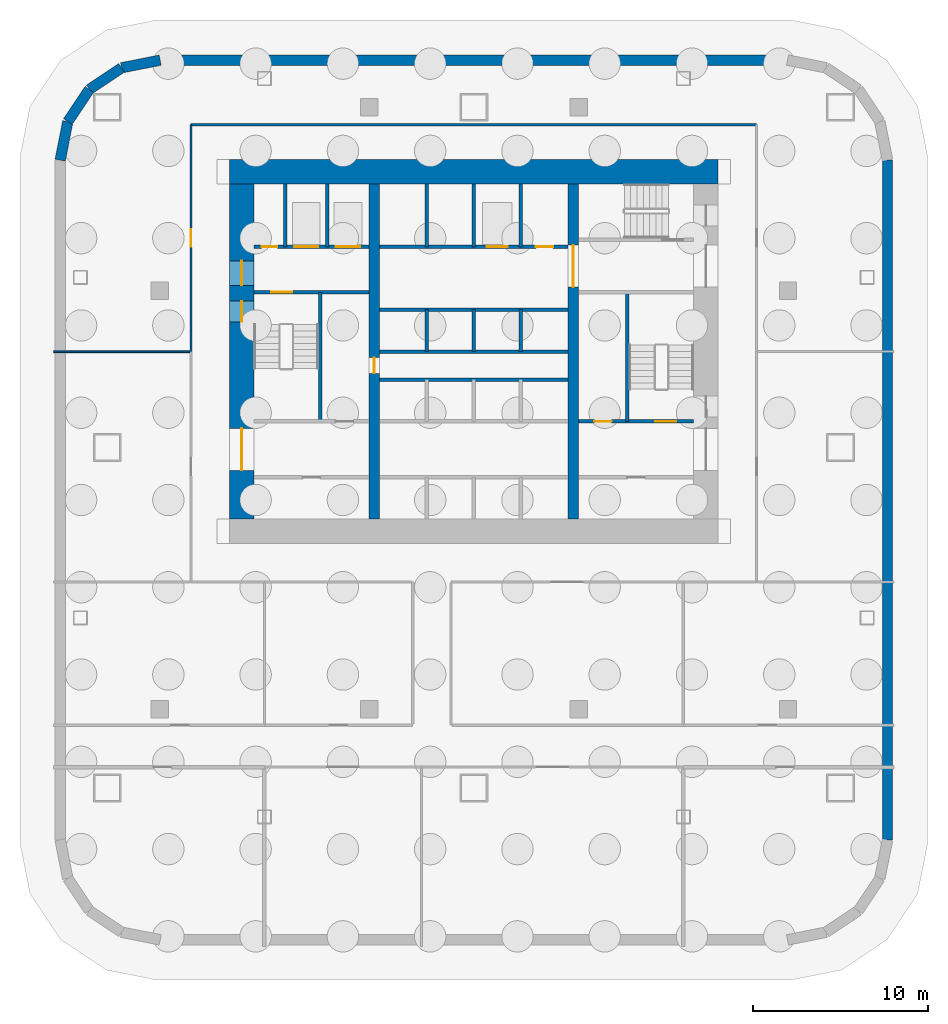
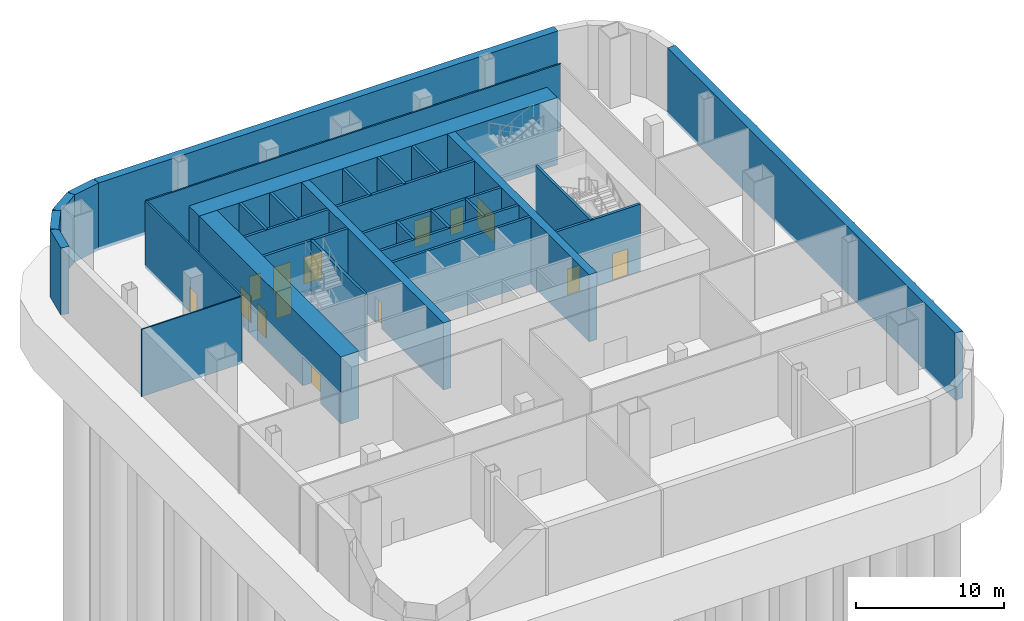
# One storey, part 3 of 6: 30 walls, 14 doors, 14 openings.
"""IFC4 building model written with IfcOpenShell, lengths in metres."""

from ifc_helpers import new_model, si_unit, direction, frame, frame_2d, origin, place, context, subcontext, project, spatial, rectangle, extrude, material, layer, layer_set, type_object, element, fill, save


model = new_model("IFC4")

# Units and contexts
model_context = context("Model", 3, precision=1e-05, world=origin(), true_north=direction((0.0, 1.0)))
body_context = subcontext(model_context, "Body", "Model", "MODEL_VIEW")
ifc_project = project(units=[si_unit("LENGTHUNIT", "METRE"), si_unit("AREAUNIT", "SQUARE_METRE"), si_unit("VOLUMEUNIT", "CUBIC_METRE"), si_unit("PLANEANGLEUNIT", "RADIAN"), si_unit("MASSUNIT", "GRAM", prefix="KILO")], contexts=[model_context])

# Site, building, storey
site_placement = place(None, origin())
site = spatial("IfcSite", under=ifc_project, at=site_placement, CompositionType="ELEMENT")
building_placement = place(site_placement, origin())
building = spatial("IfcBuilding", under=site, at=building_placement, Name="Verdant Reach Tower", CompositionType="ELEMENT")
storey_placement = place(building_placement, frame((0.0, 0.0, -6.0)))
storey = spatial("IfcBuildingStorey", under=building, at=storey_placement, Name="B1", CompositionType="ELEMENT", Elevation=-6.0)

# Walls
ifc_material_1 = material(Name="Concrete C40/50", Category="concrete")
ifc_layer_1 = layer(ifc_material_1, 0.199951171875)
ifc_layer_set_1 = layer_set([ifc_layer_1], Name="CO-WALL-SHAFT")
wall_type_1 = type_object("IfcWallType", Name="CO-WALL-SHAFT", PredefinedType="PARTITIONING", material=ifc_layer_set_1)
for number, where, z_axis, x_axis, name in (
    (1, (-5.39990234375, 26.39990234375, 0.0), (0.0, 0.0, 1.0), (1.0, 0.0, 0.0), "Lift shaft wall, B1"),
    (2, (-5.39990234375, 28.0, 0.0), (0.0, 0.0, 1.0), (1.0, 0.0, 0.0), "Lift shaft wall, B1"),
    (3, (-5.39990234375, 30.39990234375, 0.0), (0.0, 0.0, 1.0), (1.0, 0.0, 0.0), "Lift shaft wall, B1"),
):
    element("IfcWall", number, at=place(storey_placement, frame(where, z_axis=z_axis, x_axis=x_axis)), inside=storey, type_object=wall_type_1, Name=name, PredefinedType="PARTITIONING", context=body_context, shape_type="SweptSolid", body=[
        extrude(rectangle(XDim=10.7998046875, YDim=0.199951171875, at=frame_2d((5.39990234375, 0.0))), origin(), (0.0, 0.0, 1.0), 5.550048828125),
    ])

# Wall, openings, doors
wall_1_placement = place(storey_placement, frame((-12.60009765625, 34.0, 0.0), z_axis=(0.0, 0.0, 1.0), x_axis=(1.0, 0.0, 0.0)))
wall_1 = element("IfcWall", 4, at=wall_1_placement, inside=storey, type_object=wall_type_1, Name="Lift shaft wall, B1", PredefinedType="PARTITIONING", context=body_context, shape_type="SweptSolid", body=[
    extrude(rectangle(XDim=6.60009765625, YDim=0.199951171875, at=frame_2d((3.300048828125, 0.0))), origin(), (0.0, 0.0, 1.0), 5.550048828125),
])
opening_1_placement = place(wall_1_placement, frame((4.699951171875, 0.0, 0.0)))
opening_1 = element("IfcOpeningElement", 5, at=opening_1_placement, cuts=wall_1, Name="Opening LD-F1", PredefinedType="OPENING", context=body_context, shape_type="SweptSolid", body=[
    extrude(rectangle(XDim=1.39990234375, YDim=2.199951171875, at=frame_2d((0.699951171875, 1.10009765625))), frame((0.0, 0.10986328125, 0.0), z_axis=(0.0, -1.0, 0.0), x_axis=(1.0, 0.0, 0.0)), (0.0, 0.0, 1.0), 0.219970703125),
])
opening_2_placement = place(wall_1_placement, frame((2.300048828125, 0.0, 0.0)))
opening_2 = element("IfcOpeningElement", 6, at=opening_2_placement, cuts=wall_1, Name="Opening LD-F2", PredefinedType="OPENING", context=body_context, shape_type="SweptSolid", body=[
    extrude(rectangle(XDim=1.39990234375, YDim=2.199951171875, at=frame_2d((0.699951171875, 1.10009765625))), frame((0.0, 0.10986328125, 0.0), z_axis=(0.0, -1.0, 0.0), x_axis=(1.0, 0.0, 0.0)), (0.0, 0.0, 1.0), 0.219970703125),
])
opening_3_placement = place(wall_1_placement, frame((0.449951171875, 0.0, 0.0)))
opening_3 = element("IfcOpeningElement", 7, at=opening_3_placement, cuts=wall_1, Name="Opening RD", PredefinedType="OPENING", context=body_context, shape_type="SweptSolid", body=[
    extrude(rectangle(XDim=0.89990234375, YDim=2.10009765625, at=frame_2d((0.449951171875, 1.050048828125))), frame((0.0, 0.10986328125, 0.0), z_axis=(0.0, -1.0, 0.0), x_axis=(1.0, 0.0, 0.0)), (0.0, 0.0, 1.0), 0.219970703125),
])
ifc_material_2 = material(Name="Stainless steel", Category="steel")
door_type_1 = type_object("IfcDoorType", Name="CO-DOOR-LANDING-FF", OperationType="SLIDING_TO_LEFT", PredefinedType="DOOR", material=ifc_material_2)
door_1_placement = place(opening_1_placement, origin())
door_1 = element("IfcDoor", 8, at=door_1_placement, inside=storey, type_object=door_type_1, Name="Landing door F1, B1", OperationType="SLIDING_TO_LEFT", OverallHeight=2.199951171875, OverallWidth=1.39990234375, PredefinedType="DOOR", context=body_context, shape_type="SweptSolid", body=[
    extrude(rectangle(XDim=1.39990234375, YDim=2.199951171875, at=frame_2d((0.699951171875, 1.10009765625))), frame((0.0, 0.02490234375, 0.0), z_axis=(0.0, -1.0, 0.0), x_axis=(1.0, 0.0, 0.0)), (0.0, 0.0, 1.0), 0.050048828125),
])
fill(opening_1, door_1)
door_2_placement = place(opening_2_placement, origin())
door_2 = element("IfcDoor", 9, at=door_2_placement, inside=storey, type_object=door_type_1, Name="Landing door F2, B1", OperationType="SLIDING_TO_LEFT", OverallHeight=2.199951171875, OverallWidth=1.39990234375, PredefinedType="DOOR", context=body_context, shape_type="SweptSolid", body=[
    extrude(rectangle(XDim=1.39990234375, YDim=2.199951171875, at=frame_2d((0.699951171875, 1.10009765625))), frame((0.0, 0.02490234375, 0.0), z_axis=(0.0, -1.0, 0.0), x_axis=(1.0, 0.0, 0.0)), (0.0, 0.0, 1.0), 0.050048828125),
])
fill(opening_2, door_2)
ifc_material_3 = material(Name="Steel", Category="steel")
door_type_2 = type_object("IfcDoorType", Name="CO-DOOR-RISER", OperationType="NOTDEFINED", PredefinedType="DOOR", material=ifc_material_3)
door_3_placement = place(opening_3_placement, origin())
door_3 = element("IfcDoor", 10, at=door_3_placement, inside=storey, type_object=door_type_2, Name="Core room door, B1", OperationType="SINGLE_SWING_RIGHT", OverallHeight=2.10009765625, OverallWidth=0.89990234375, PredefinedType="DOOR", context=body_context, shape_type="SweptSolid", body=[
    extrude(rectangle(XDim=0.89990234375, YDim=2.10009765625, at=frame_2d((0.449951171875, 1.050048828125))), frame((0.0, 0.02490234375, 0.0), z_axis=(0.0, -1.0, 0.0), x_axis=(1.0, 0.0, 0.0)), (0.0, 0.0, 1.0), 0.050048828125),
])
fill(opening_3, door_3)

wall_2_placement = place(storey_placement, frame((-5.39990234375, 34.0, 0.0), z_axis=(0.0, 0.0, 1.0), x_axis=(1.0, 0.0, 0.0)))
wall_2 = element("IfcWall", 11, at=wall_2_placement, inside=storey, type_object=wall_type_1, Name="Lift shaft wall, B1", PredefinedType="PARTITIONING", context=body_context, shape_type="SweptSolid", body=[
    extrude(rectangle(XDim=10.7998046875, YDim=0.199951171875, at=frame_2d((5.39990234375, 0.0))), origin(), (0.0, 0.0, 1.0), 5.550048828125),
])
opening_4_placement = place(wall_2_placement, frame((6.14990234375, 0.0, 0.0)))
opening_4 = element("IfcOpeningElement", 12, at=opening_4_placement, cuts=wall_2, Name="Opening LD-SL1", PredefinedType="OPENING", context=body_context, shape_type="SweptSolid", body=[
    extrude(rectangle(XDim=1.199951171875, YDim=2.199951171875, at=frame_2d((0.60009765625, 1.10009765625))), frame((0.0, 0.10986328125, 0.0), z_axis=(0.0, -1.0, 0.0), x_axis=(1.0, 0.0, 0.0)), (0.0, 0.0, 1.0), 0.219970703125),
])
opening_5_placement = place(wall_2_placement, frame((8.949951171875, 0.0, 0.0)))
opening_5 = element("IfcOpeningElement", 13, at=opening_5_placement, cuts=wall_2, Name="Opening CD", PredefinedType="OPENING", context=body_context, shape_type="SweptSolid", body=[
    extrude(rectangle(XDim=1.0, YDim=2.10009765625, at=frame_2d((0.5, 1.050048828125))), frame((0.0, 0.10986328125, 0.0), z_axis=(0.0, -1.0, 0.0), x_axis=(1.0, 0.0, 0.0)), (0.0, 0.0, 1.0), 0.219970703125),
])
door_type_3 = type_object("IfcDoorType", Name="CO-DOOR-LANDING", OperationType="SLIDING_TO_LEFT", PredefinedType="DOOR", material=ifc_material_2)
door_4_placement = place(opening_4_placement, origin())
door_4 = element("IfcDoor", 14, at=door_4_placement, inside=storey, type_object=door_type_3, Name="Landing door SL1, B1", OperationType="SLIDING_TO_LEFT", OverallHeight=2.199951171875, OverallWidth=1.199951171875, PredefinedType="DOOR", context=body_context, shape_type="SweptSolid", body=[
    extrude(rectangle(XDim=1.199951171875, YDim=2.199951171875, at=frame_2d((0.60009765625, 1.10009765625))), frame((0.0, 0.02490234375, 0.0), z_axis=(0.0, -1.0, 0.0), x_axis=(1.0, 0.0, 0.0)), (0.0, 0.0, 1.0), 0.050048828125),
])
fill(opening_4, door_4)
ifc_material_4 = material(Name="Timber", Category="wood")
door_type_4 = type_object("IfcDoorType", Name="CO-DOOR-ROOM", OperationType="NOTDEFINED", PredefinedType="DOOR", material=ifc_material_4)
door_5_placement = place(opening_5_placement, origin())
door_5 = element("IfcDoor", 15, at=door_5_placement, inside=storey, type_object=door_type_4, Name="Core room door, B1", OperationType="SINGLE_SWING_LEFT", OverallHeight=2.10009765625, OverallWidth=1.0, PredefinedType="DOOR", context=body_context, shape_type="SweptSolid", body=[
    extrude(rectangle(XDim=1.0, YDim=2.10009765625, at=frame_2d((0.5, 1.050048828125))), frame((0.0, 0.02490234375, 0.0), z_axis=(0.0, -1.0, 0.0), x_axis=(1.0, 0.0, 0.0)), (0.0, 0.0, 1.0), 0.050048828125),
])
fill(opening_5, door_5)

# Walls
for number, where, z_axis, x_axis, name in (
    (16, (-10.800048828125, 34.0, 0.0), (0.0, 0.0, 1.0), (0.0, 1.0, 0.0), "Lift shaft wall, B1"),
    (17, (-8.39990234375, 34.0, 0.0), (0.0, 0.0, 1.0), (0.0, 1.0, 0.0), "Lift shaft wall, B1"),
):
    element("IfcWall", number, at=place(storey_placement, frame(where, z_axis=z_axis, x_axis=x_axis)), inside=storey, type_object=wall_type_1, Name=name, PredefinedType="PARTITIONING", context=body_context, shape_type="SweptSolid", body=[
        extrude(rectangle(XDim=3.60009765625, YDim=0.199951171875, at=frame_2d((1.800048828125, 0.0))), origin(), (0.0, 0.0, 1.0), 5.550048828125),
    ])
wall_3_placement = place(storey_placement, frame((-2.699951171875, 28.0, 0.0), z_axis=(0.0, 0.0, 1.0), x_axis=(0.0, 1.0, 0.0)))
element("IfcWall", 18, at=wall_3_placement, inside=storey, type_object=wall_type_1, Name="Lift shaft wall, B1", PredefinedType="PARTITIONING", context=body_context, shape_type="SweptSolid", body=[
    extrude(rectangle(XDim=2.39990234375, YDim=0.199951171875, at=frame_2d((1.199951171875, 0.0))), origin(), (0.0, 0.0, 1.0), 5.550048828125),
])
wall_4_placement = place(storey_placement, frame((-2.699951171875, 34.0, 0.0), z_axis=(0.0, 0.0, 1.0), x_axis=(0.0, 1.0, 0.0)))
element("IfcWall", 19, at=wall_4_placement, inside=storey, type_object=wall_type_1, Name="Lift shaft wall, B1", PredefinedType="PARTITIONING", context=body_context, shape_type="SweptSolid", body=[
    extrude(rectangle(XDim=3.60009765625, YDim=0.199951171875, at=frame_2d((1.800048828125, 0.0))), origin(), (0.0, 0.0, 1.0), 5.550048828125),
])
wall_5_placement = place(storey_placement, frame((0.0, 28.0, 0.0), z_axis=(0.0, 0.0, 1.0), x_axis=(0.0, 1.0, 0.0)))
element("IfcWall", 20, at=wall_5_placement, inside=storey, type_object=wall_type_1, Name="Lift shaft wall, B1", PredefinedType="PARTITIONING", context=body_context, shape_type="SweptSolid", body=[
    extrude(rectangle(XDim=2.39990234375, YDim=0.199951171875, at=frame_2d((1.199951171875, 0.0))), origin(), (0.0, 0.0, 1.0), 5.550048828125),
])
wall_6_placement = place(storey_placement, frame((0.0, 34.0, 0.0), z_axis=(0.0, 0.0, 1.0), x_axis=(0.0, 1.0, 0.0)))
element("IfcWall", 21, at=wall_6_placement, inside=storey, type_object=wall_type_1, Name="Lift shaft wall, B1", PredefinedType="PARTITIONING", context=body_context, shape_type="SweptSolid", body=[
    extrude(rectangle(XDim=3.60009765625, YDim=0.199951171875, at=frame_2d((1.800048828125, 0.0))), origin(), (0.0, 0.0, 1.0), 5.550048828125),
])
wall_7_placement = place(storey_placement, frame((2.699951171875, 28.0, 0.0), z_axis=(0.0, 0.0, 1.0), x_axis=(0.0, 1.0, 0.0)))
element("IfcWall", 22, at=wall_7_placement, inside=storey, type_object=wall_type_1, Name="Lift shaft wall, B1", PredefinedType="PARTITIONING", context=body_context, shape_type="SweptSolid", body=[
    extrude(rectangle(XDim=2.39990234375, YDim=0.199951171875, at=frame_2d((1.199951171875, 0.0))), origin(), (0.0, 0.0, 1.0), 5.550048828125),
])
wall_8_placement = place(storey_placement, frame((2.699951171875, 34.0, 0.0), z_axis=(0.0, 0.0, 1.0), x_axis=(0.0, 1.0, 0.0)))
element("IfcWall", 23, at=wall_8_placement, inside=storey, type_object=wall_type_1, Name="Lift shaft wall, B1", PredefinedType="PARTITIONING", context=body_context, shape_type="SweptSolid", body=[
    extrude(rectangle(XDim=3.60009765625, YDim=0.199951171875, at=frame_2d((1.800048828125, 0.0))), origin(), (0.0, 0.0, 1.0), 5.550048828125),
])

# Wall, openings, doors
ifc_layer_2 = layer(ifc_material_1, 0.199951171875)
ifc_layer_set_2 = layer_set([ifc_layer_2], Name="CO-WALL-STAIR")
wall_type_2 = type_object("IfcWallType", Name="CO-WALL-STAIR", PredefinedType="PARTITIONING", material=ifc_layer_set_2)
wall_9_placement = place(storey_placement, frame((6.0, 24.0, 0.0), z_axis=(0.0, 0.0, 1.0), x_axis=(1.0, 0.0, 0.0)))
wall_9 = element("IfcWall", 24, at=wall_9_placement, inside=storey, type_object=wall_type_2, Name="Stair enclosure wall, B1", PredefinedType="PARTITIONING", context=body_context, shape_type="SweptSolid", body=[
    extrude(rectangle(XDim=6.60009765625, YDim=0.199951171875, at=frame_2d((3.300048828125, 0.0))), origin(), (0.0, 0.0, 1.0), 5.550048828125),
])
opening_6_placement = place(wall_9_placement, frame((0.89990234375, 0.0, 0.0)))
opening_6 = element("IfcOpeningElement", 25, at=opening_6_placement, cuts=wall_9, Name="Opening CD", PredefinedType="OPENING", context=body_context, shape_type="SweptSolid", body=[
    extrude(rectangle(XDim=1.0, YDim=2.10009765625, at=frame_2d((0.5, 1.050048828125))), frame((0.0, 0.10986328125, 0.0), z_axis=(0.0, -1.0, 0.0), x_axis=(1.0, 0.0, 0.0)), (0.0, 0.0, 1.0), 0.219970703125),
])
opening_7_placement = place(wall_9_placement, frame((4.39990234375, 0.0, 0.0)))
opening_7 = element("IfcOpeningElement", 26, at=opening_7_placement, cuts=wall_9, Name="Opening SD", PredefinedType="OPENING", context=body_context, shape_type="SweptSolid", body=[
    extrude(rectangle(XDim=1.199951171875, YDim=2.199951171875, at=frame_2d((0.60009765625, 1.10009765625))), frame((0.0, 0.10986328125, 0.0), z_axis=(0.0, -1.0, 0.0), x_axis=(1.0, 0.0, 0.0)), (0.0, 0.0, 1.0), 0.219970703125),
])
door_6_placement = place(opening_6_placement, origin())
door_6 = element("IfcDoor", 27, at=door_6_placement, inside=storey, type_object=door_type_4, Name="Core room door, B1", OperationType="SINGLE_SWING_LEFT", OverallHeight=2.10009765625, OverallWidth=1.0, PredefinedType="DOOR", context=body_context, shape_type="SweptSolid", body=[
    extrude(rectangle(XDim=1.0, YDim=2.10009765625, at=frame_2d((0.5, 1.050048828125))), frame((0.0, 0.02490234375, 0.0), z_axis=(0.0, -1.0, 0.0), x_axis=(1.0, 0.0, 0.0)), (0.0, 0.0, 1.0), 0.050048828125),
])
fill(opening_6, door_6)
door_type_5 = type_object("IfcDoorType", Name="CO-DOOR-STAIR", OperationType="NOTDEFINED", PredefinedType="DOOR", material=ifc_material_3)
door_7_placement = place(opening_7_placement, origin())
door_7 = element("IfcDoor", 28, at=door_7_placement, inside=storey, type_object=door_type_5, Name="Stair door, B1", OperationType="SINGLE_SWING_LEFT", OverallHeight=2.199951171875, OverallWidth=1.199951171875, PredefinedType="DOOR", context=body_context, shape_type="SweptSolid", body=[
    extrude(rectangle(XDim=1.199951171875, YDim=2.199951171875, at=frame_2d((0.60009765625, 1.10009765625))), frame((0.0, 0.02490234375, 0.0), z_axis=(0.0, -1.0, 0.0), x_axis=(1.0, 0.0, 0.0)), (0.0, 0.0, 1.0), 0.050048828125),
])
fill(opening_7, door_7)

# Wall, opening, door
wall_10_placement = place(storey_placement, frame((-12.60009765625, 31.39990234375, 0.0), z_axis=(0.0, 0.0, 1.0), x_axis=(1.0, 0.0, 0.0)))
wall_10 = element("IfcWall", 29, at=wall_10_placement, inside=storey, type_object=wall_type_2, Name="Stair enclosure wall, B1", PredefinedType="PARTITIONING", context=body_context, shape_type="SweptSolid", body=[
    extrude(rectangle(XDim=6.60009765625, YDim=0.199951171875, at=frame_2d((3.300048828125, 0.0))), origin(), (0.0, 0.0, 1.0), 5.550048828125),
])
opening_8_placement = place(wall_10_placement, frame((1.0, 0.0, 0.0)))
opening_8 = element("IfcOpeningElement", 30, at=opening_8_placement, cuts=wall_10, Name="Opening SD", PredefinedType="OPENING", context=body_context, shape_type="SweptSolid", body=[
    extrude(rectangle(XDim=1.199951171875, YDim=2.199951171875, at=frame_2d((0.60009765625, 1.10009765625))), frame((0.0, 0.10986328125, 0.0), z_axis=(0.0, -1.0, 0.0), x_axis=(1.0, 0.0, 0.0)), (0.0, 0.0, 1.0), 0.219970703125),
])
door_8_placement = place(opening_8_placement, origin())
door_8 = element("IfcDoor", 31, at=door_8_placement, inside=storey, type_object=door_type_5, Name="Stair door, B1", OperationType="SINGLE_SWING_RIGHT", OverallHeight=2.199951171875, OverallWidth=1.199951171875, PredefinedType="DOOR", context=body_context, shape_type="SweptSolid", body=[
    extrude(rectangle(XDim=1.199951171875, YDim=2.199951171875, at=frame_2d((0.60009765625, 1.10009765625))), frame((0.0, 0.02490234375, 0.0), z_axis=(0.0, -1.0, 0.0), x_axis=(1.0, 0.0, 0.0)), (0.0, 0.0, 1.0), 0.050048828125),
])
fill(opening_8, door_8)

# Walls
for number, where, z_axis, x_axis, name in (
    (32, (-8.800048828125, 24.0, 0.0), (0.0, 0.0, 1.0), (0.0, 1.0, 0.0), "Stair enclosure wall, B1"),
    (33, (8.800048828125, 24.0, 0.0), (0.0, 0.0, 1.0), (0.0, 1.0, 0.0), "Stair enclosure wall, B1"),
):
    element("IfcWall", number, at=place(storey_placement, frame(where, z_axis=z_axis, x_axis=x_axis)), inside=storey, type_object=wall_type_2, Name=name, PredefinedType="PARTITIONING", context=body_context, shape_type="SweptSolid", body=[
        extrude(rectangle(XDim=7.39990234375, YDim=0.199951171875, at=frame_2d((3.699951171875, 0.0))), origin(), (0.0, 0.0, 1.0), 5.550048828125),
    ])
ifc_layer_3 = layer(ifc_material_1, 0.60009765625)
ifc_layer_set_3 = layer_set([ifc_layer_3], Name="ST-BASEMENT-WALL")
wall_type_3 = type_object("IfcWallType", Name="ST-BASEMENT-WALL", PredefinedType="SHEAR", material=ifc_layer_set_3)
wall_11_placement = place(storey_placement, frame((-23.699951171875, 38.970458984375, 0.0), z_axis=(0.0, 0.0, 1.0), x_axis=(0.195052642224, 0.980792774628, 0.0)))
element("IfcWall", 34, at=wall_11_placement, inside=storey, type_object=wall_type_3, Name="Basement retaining wall 7", PredefinedType="SHEAR", context=body_context, shape_type="SweptSolid", body=[
    extrude(rectangle(XDim=2.251708984375, YDim=0.60009765625, at=frame_2d((1.1259765625, 0.0))), origin(), (0.0, 0.0, 1.0), 5.550048828125),
])
for number, where, z_axis, x_axis, name in (
    (35, (-23.2607421875, 41.178955078125, 0.0), (0.0, 0.0, 1.0), (0.555562047437, 0.831475081676, 0.0), "Basement retaining wall 8"),
    (36, (-22.0263671875, 43.0263671875, 0.0), (0.0, 0.0, 1.0), (0.831475081676, 0.555562047437, 0.0), "Basement retaining wall 9"),
):
    element("IfcWall", number, at=place(storey_placement, frame(where, z_axis=z_axis, x_axis=x_axis)), inside=storey, type_object=wall_type_3, Name=name, PredefinedType="SHEAR", context=body_context, shape_type="SweptSolid", body=[
        extrude(rectangle(XDim=2.221923828125, YDim=0.60009765625, at=frame_2d((1.11083984375, 0.0))), origin(), (0.0, 0.0, 1.0), 5.550048828125),
    ])
wall_12_placement = place(storey_placement, frame((-20.178955078125, 44.2607421875, 0.0), z_axis=(0.0, 0.0, 1.0), x_axis=(0.980792774628, 0.195052642224, 0.0)))
element("IfcWall", 37, at=wall_12_placement, inside=storey, type_object=wall_type_3, Name="Basement retaining wall 10", PredefinedType="SHEAR", context=body_context, shape_type="SweptSolid", body=[
    extrude(rectangle(XDim=2.251708984375, YDim=0.60009765625, at=frame_2d((1.1259765625, 0.0))), origin(), (0.0, 0.0, 1.0), 5.550048828125),
])
wall_13_placement = place(storey_placement, frame((-17.970458984375, 44.699951171875, 0.0), z_axis=(0.0, 0.0, 1.0), x_axis=(1.0, 0.0, 0.0)))
element("IfcWall", 38, at=wall_13_placement, inside=storey, type_object=wall_type_3, Name="Basement retaining wall 11", PredefinedType="SHEAR", context=body_context, shape_type="SweptSolid", body=[
    extrude(rectangle(XDim=35.94091796875, YDim=0.60009765625, at=frame_2d((17.970458984375, 0.0))), origin(), (0.0, 0.0, 1.0), 5.550048828125),
])
wall_14_placement = place(storey_placement, frame((23.699951171875, 38.970458984375, 0.0), z_axis=(0.0, 0.0, 1.0), x_axis=(0.0, -1.0, 0.0)))
element("IfcWall", 39, at=wall_14_placement, inside=storey, type_object=wall_type_3, Name="Basement retaining wall 16", PredefinedType="SHEAR", context=body_context, shape_type="SweptSolid", body=[
    extrude(rectangle(XDim=38.94091796875, YDim=0.60009765625, at=frame_2d((19.470458984375, 0.0))), origin(), (0.0, 0.0, 1.0), 5.550048828125),
])
ifc_material_5 = material(Name="Concrete C70/85", Category="concrete")
ifc_layer_4 = layer(ifc_material_5, 1.39990234375)
ifc_layer_set_4 = layer_set([ifc_layer_4], Name="ST-CORE-WALL-1400")
wall_type_4 = type_object("IfcWallType", Name="ST-CORE-WALL-1400", PredefinedType="SHEAR", material=ifc_layer_set_4)
wall_15_placement = place(storey_placement, frame((-14.0, 38.300048828125, 0.0), z_axis=(0.0, 0.0, 1.0), x_axis=(1.0, 0.0, 0.0)))
element("IfcWall", 40, at=wall_15_placement, inside=storey, type_object=wall_type_4, Name="Core wall N, B1", PredefinedType="SHEAR", context=body_context, shape_type="SweptSolid", body=[
    extrude(rectangle(XDim=28.0, YDim=1.39990234375, at=frame_2d((14.0, 0.0))), origin(), (0.0, 0.0, 1.0), 5.550048828125),
])

# Wall, openings, doors
wall_16_placement = place(storey_placement, frame((-13.300048828125, 18.39990234375, 0.0), z_axis=(0.0, 0.0, 1.0), x_axis=(0.0, 1.0, 0.0)))
wall_16 = element("IfcWall", 41, at=wall_16_placement, inside=storey, type_object=wall_type_4, Name="Core wall W, B1", PredefinedType="SHEAR", context=body_context, shape_type="SweptSolid", body=[
    extrude(rectangle(XDim=19.2001953125, YDim=1.39990234375, at=frame_2d((9.60009765625, 0.0))), origin(), (0.0, 0.0, 1.0), 5.550048828125),
])
opening_9_placement = place(wall_16_placement, frame((2.800048828125, 0.0, 0.0)))
opening_9 = element("IfcOpeningElement", 42, at=opening_9_placement, cuts=wall_16, Name="Opening LB", PredefinedType="OPENING", context=body_context, shape_type="SweptSolid", body=[
    extrude(rectangle(XDim=2.39990234375, YDim=2.39990234375, at=frame_2d((1.199951171875, 1.199951171875))), frame((0.0, 0.7099609375, 0.0), z_axis=(0.0, -1.0, 0.0), x_axis=(1.0, 0.0, 0.0)), (0.0, 0.0, 1.0), 1.419921875),
])
opening_10_placement = place(wall_16_placement, frame((13.39990234375, 0.0, 0.0)))
opening_10 = element("IfcOpeningElement", 43, at=opening_10_placement, cuts=wall_16, Name="Opening FL", PredefinedType="OPENING", context=body_context, shape_type="SweptSolid", body=[
    extrude(rectangle(XDim=1.39990234375, YDim=2.199951171875, at=frame_2d((0.699951171875, 1.10009765625))), frame((0.0, 0.7099609375, 0.0), z_axis=(0.0, -1.0, 0.0), x_axis=(1.0, 0.0, 0.0)), (0.0, 0.0, 1.0), 1.419921875),
])
opening_11_placement = place(wall_16_placement, frame((11.300048828125, 0.0, 0.0)))
opening_11 = element("IfcOpeningElement", 44, at=opening_11_placement, cuts=wall_16, Name="Opening SD", PredefinedType="OPENING", context=body_context, shape_type="SweptSolid", body=[
    extrude(rectangle(XDim=1.199951171875, YDim=2.199951171875, at=frame_2d((0.60009765625, 1.10009765625))), frame((0.0, 0.7099609375, 0.0), z_axis=(0.0, -1.0, 0.0), x_axis=(1.0, 0.0, 0.0)), (0.0, 0.0, 1.0), 1.419921875),
])
door_type_6 = type_object("IfcDoorType", Name="CO-DOOR-FFL", OperationType="NOTDEFINED", PredefinedType="DOOR", material=ifc_material_3)
door_9_placement = place(opening_10_placement, origin())
door_9 = element("IfcDoor", 45, at=door_9_placement, inside=storey, type_object=door_type_6, Name="Core entrance door, B1", OperationType="SINGLE_SWING_RIGHT", OverallHeight=2.199951171875, OverallWidth=1.39990234375, PredefinedType="DOOR", context=body_context, shape_type="SweptSolid", body=[
    extrude(rectangle(XDim=1.39990234375, YDim=2.199951171875, at=frame_2d((0.699951171875, 1.10009765625))), frame((0.0, 0.02490234375, 0.0), z_axis=(0.0, -1.0, 0.0), x_axis=(1.0, 0.0, 0.0)), (0.0, 0.0, 1.0), 0.050048828125),
])
fill(opening_10, door_9)
ifc_material_6 = material(Name="Glass and steel", Category="steel")
door_type_7 = type_object("IfcDoorType", Name="CO-DOOR-LOBBY", OperationType="DOUBLE_DOOR_SINGLE_SWING", PredefinedType="DOOR", material=ifc_material_6)
door_10_placement = place(opening_9_placement, origin())
door_10 = element("IfcDoor", 46, at=door_10_placement, inside=storey, type_object=door_type_7, Name="Core entrance door, B1", OperationType="DOUBLE_DOOR_SINGLE_SWING", OverallHeight=2.39990234375, OverallWidth=2.39990234375, PredefinedType="DOOR", context=body_context, shape_type="SweptSolid", body=[
    extrude(rectangle(XDim=2.39990234375, YDim=2.39990234375, at=frame_2d((1.199951171875, 1.199951171875))), frame((0.0, 0.02490234375, 0.0), z_axis=(0.0, -1.0, 0.0), x_axis=(1.0, 0.0, 0.0)), (0.0, 0.0, 1.0), 0.050048828125),
])
fill(opening_9, door_10)
door_11_placement = place(opening_11_placement, origin())
door_11 = element("IfcDoor", 47, at=door_11_placement, inside=storey, type_object=door_type_5, Name="Core entrance door, B1", OperationType="SINGLE_SWING_LEFT", OverallHeight=2.199951171875, OverallWidth=1.199951171875, PredefinedType="DOOR", context=body_context, shape_type="SweptSolid", body=[
    extrude(rectangle(XDim=1.199951171875, YDim=2.199951171875, at=frame_2d((0.60009765625, 1.10009765625))), frame((0.0, 0.02490234375, 0.0), z_axis=(0.0, -1.0, 0.0), x_axis=(1.0, 0.0, 0.0)), (0.0, 0.0, 1.0), 0.050048828125),
])
fill(opening_11, door_11)

# Wall, opening, door
ifc_layer_5 = layer(ifc_material_5, 0.60009765625)
ifc_layer_set_5 = layer_set([ifc_layer_5], Name="ST-CORE-WALL-600")
wall_type_5 = type_object("IfcWallType", Name="ST-CORE-WALL-600", PredefinedType="SHEAR", material=ifc_layer_set_5)
wall_17_placement = place(storey_placement, frame((-5.699951171875, 18.39990234375, 0.0), z_axis=(0.0, 0.0, 1.0), x_axis=(0.0, 1.0, 0.0)))
wall_17 = element("IfcWall", 48, at=wall_17_placement, inside=storey, type_object=wall_type_5, Name="Core wall XW, B1", PredefinedType="SHEAR", context=body_context, shape_type="SweptSolid", body=[
    extrude(rectangle(XDim=19.2001953125, YDim=0.60009765625, at=frame_2d((9.60009765625, 0.0))), origin(), (0.0, 0.0, 1.0), 5.550048828125),
])
opening_12_placement = place(wall_17_placement, frame((8.35009765625, 0.0, 0.0)))
opening_12 = element("IfcOpeningElement", 49, at=opening_12_placement, cuts=wall_17, Name="Opening RD", PredefinedType="OPENING", context=body_context, shape_type="SweptSolid", body=[
    extrude(rectangle(XDim=0.89990234375, YDim=2.10009765625, at=frame_2d((0.449951171875, 1.050048828125))), frame((0.0, 0.31005859375, 0.0), z_axis=(0.0, -1.0, 0.0), x_axis=(1.0, 0.0, 0.0)), (0.0, 0.0, 1.0), 0.6201171875),
])
door_12_placement = place(opening_12_placement, origin())
door_12 = element("IfcDoor", 50, at=door_12_placement, inside=storey, type_object=door_type_2, Name="Riser door, B1", OperationType="SINGLE_SWING_RIGHT", OverallHeight=2.10009765625, OverallWidth=0.89990234375, PredefinedType="DOOR", context=body_context, shape_type="SweptSolid", body=[
    extrude(rectangle(XDim=0.89990234375, YDim=2.10009765625, at=frame_2d((0.449951171875, 1.050048828125))), frame((0.0, 0.02490234375, 0.0), z_axis=(0.0, -1.0, 0.0), x_axis=(1.0, 0.0, 0.0)), (0.0, 0.0, 1.0), 0.050048828125),
])
fill(opening_12, door_12)

wall_18_placement = place(storey_placement, frame((5.699951171875, 18.39990234375, 0.0), z_axis=(0.0, 0.0, 1.0), x_axis=(0.0, 1.0, 0.0)))
wall_18 = element("IfcWall", 51, at=wall_18_placement, inside=storey, type_object=wall_type_5, Name="Core wall XE, B1", PredefinedType="SHEAR", context=body_context, shape_type="SweptSolid", body=[
    extrude(rectangle(XDim=19.2001953125, YDim=0.60009765625, at=frame_2d((9.60009765625, 0.0))), origin(), (0.0, 0.0, 1.0), 5.550048828125),
])
opening_13_placement = place(wall_18_placement, frame((13.300048828125, 0.0, 0.0)))
opening_13 = element("IfcOpeningElement", 52, at=opening_13_placement, cuts=wall_18, Name="Opening LB", PredefinedType="OPENING", context=body_context, shape_type="SweptSolid", body=[
    extrude(rectangle(XDim=2.39990234375, YDim=2.39990234375, at=frame_2d((1.199951171875, 1.199951171875))), frame((0.0, 0.31005859375, 0.0), z_axis=(0.0, -1.0, 0.0), x_axis=(1.0, 0.0, 0.0)), (0.0, 0.0, 1.0), 0.6201171875),
])
door_13_placement = place(opening_13_placement, origin())
door_13 = element("IfcDoor", 53, at=door_13_placement, inside=storey, type_object=door_type_7, Name="Core entrance door, B1", OperationType="DOUBLE_DOOR_SINGLE_SWING", OverallHeight=2.39990234375, OverallWidth=2.39990234375, PredefinedType="DOOR", context=body_context, shape_type="SweptSolid", body=[
    extrude(rectangle(XDim=2.39990234375, YDim=2.39990234375, at=frame_2d((1.199951171875, 1.199951171875))), frame((0.0, 0.02490234375, 0.0), z_axis=(0.0, -1.0, 0.0), x_axis=(1.0, 0.0, 0.0)), (0.0, 0.0, 1.0), 0.050048828125),
])
fill(opening_13, door_13)

# Wall
ifc_material_7 = material(Name="Gypsum board on steel studs", Category="steel")
ifc_layer_6 = layer(ifc_material_7, 0.10009765625)
ifc_layer_set_6 = layer_set([ifc_layer_6], Name="SV-W1 Partition 100")
wall_type_6 = type_object("IfcWallType", Name="SV-W1 Partition 100", PredefinedType="PARTITIONING", material=ifc_layer_set_6)
wall_19_placement = place(storey_placement, frame((-24.080078125, 28.0, 0.0), z_axis=(0.0, 0.0, 1.0), x_axis=(1.0, 0.0, 0.0)))
element("IfcWall", 54, at=wall_19_placement, inside=storey, type_object=wall_type_6, Name="Partition B1.26", PredefinedType="PARTITIONING", context=body_context, shape_type="SweptSolid", body=[
    extrude(rectangle(XDim=7.817626953125, YDim=0.10009765625, at=frame_2d((3.90869140625, 0.0))), origin(), (0.0, 0.0, 1.0), 5.550048828125),
])

# Wall, opening, door
ifc_material_8 = material(Name="Gypsum board on steel studs, fire rated", Category="steel")
ifc_layer_7 = layer(ifc_material_8, 0.125)
ifc_layer_set_7 = layer_set([ifc_layer_7], Name="SV-W2 Plant wall 125 EI 60")
wall_type_7 = type_object("IfcWallType", Name="SV-W2 Plant wall 125 EI 60", PredefinedType="PARTITIONING", material=ifc_layer_set_7)
wall_20_placement = place(storey_placement, frame((-16.199951171875, 41.0, 0.0), z_axis=(0.0, 0.0, 1.0), x_axis=(0.0, -1.0, 0.0)))
wall_20 = element("IfcWall", 55, at=wall_20_placement, inside=storey, type_object=wall_type_7, Name="Partition B1.16", PredefinedType="PARTITIONING", context=body_context, shape_type="SweptSolid", body=[
    extrude(rectangle(XDim=13.0, YDim=0.125, at=frame_2d((6.5, 0.0))), origin(), (0.0, 0.0, 1.0), 5.550048828125),
])
opening_14_placement = place(wall_20_placement, frame((6.0, 0.0, 0.0)))
opening_14 = element("IfcOpeningElement", 56, at=opening_14_placement, cuts=wall_20, Name="Opening SD2", PredefinedType="OPENING", context=body_context, shape_type="SweptSolid", body=[
    extrude(rectangle(XDim=1.0, YDim=2.10009765625, at=frame_2d((0.5, 1.050048828125))), frame((0.0, 0.072509765625, 0.0), z_axis=(0.0, -1.0, 0.0), x_axis=(1.0, 0.0, 0.0)), (0.0, 0.0, 1.0), 0.14501953125),
])
ifc_material_9 = material(Name="Steel door leaf, fire rated", Category="steel")
door_type_8 = type_object("IfcDoorType", Name="SV-D2 Door 1000x2100 FD60", OperationType="NOTDEFINED", PredefinedType="DOOR", material=ifc_material_9)
door_14_placement = place(opening_14_placement, origin())
door_14 = element("IfcDoor", 57, at=door_14_placement, inside=storey, type_object=door_type_8, Name="Door B1-010", OperationType="SINGLE_SWING_RIGHT", OverallHeight=2.10009765625, OverallWidth=1.0, PredefinedType="DOOR", context=body_context, shape_type="SweptSolid", body=[
    extrude(rectangle(XDim=1.0, YDim=2.10009765625, at=frame_2d((0.5, 1.050048828125))), frame((0.0, 0.02490234375, 0.0), z_axis=(0.0, -1.0, 0.0), x_axis=(1.0, 0.0, 0.0)), (0.0, 0.0, 1.0), 0.050048828125),
])
fill(opening_14, door_14)

# Wall
wall_21_placement = place(storey_placement, frame((-16.197998046875, 41.0, 0.0), z_axis=(0.0, 0.0, 1.0), x_axis=(1.0, 0.0, 0.0)))
element("IfcWall", 58, at=wall_21_placement, inside=storey, type_object=wall_type_7, Name="Partition B1.28", PredefinedType="PARTITIONING", context=body_context, shape_type="SweptSolid", body=[
    extrude(rectangle(XDim=32.39599609375, YDim=0.125, at=frame_2d((16.197998046875, 0.0))), origin(), (0.0, 0.0, 1.0), 5.550048828125),
])

save(model, "model.ifc")
